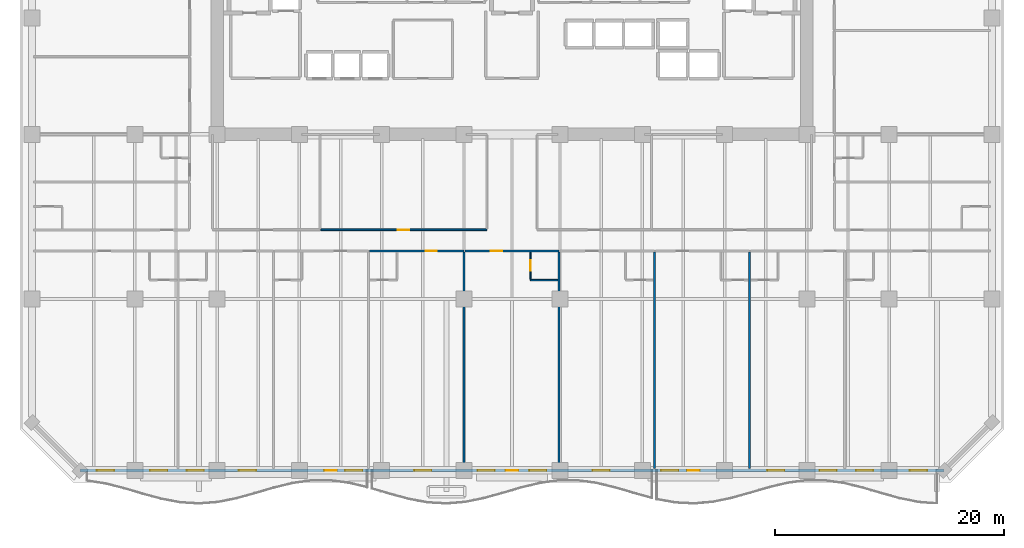
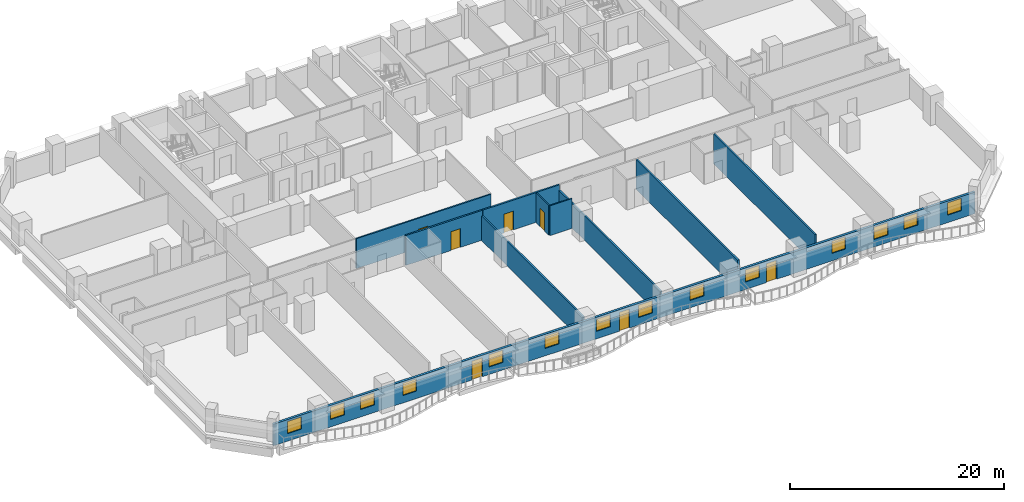
# One storey, part 4 of 14: 14 windows, 10 walls, 7 doors, 21 openings.
"""IFC4 building model written with IfcOpenShell, lengths in metres."""

from ifc_helpers import new_model, si_unit, direction, frame, frame_2d, origin, place, context, subcontext, project, spatial, rectangle, extrude, material, layer, layer_set, type_object, element, fill, save


model = new_model("IFC4")

# Units and contexts
model_context = context("Model", 3, precision=1e-05, world=origin(), true_north=direction((0.0, 1.0)))
body_context = subcontext(model_context, "Body", "Model", "MODEL_VIEW")
ifc_project = project(units=[si_unit("LENGTHUNIT", "METRE"), si_unit("AREAUNIT", "SQUARE_METRE"), si_unit("VOLUMEUNIT", "CUBIC_METRE"), si_unit("PLANEANGLEUNIT", "RADIAN"), si_unit("MASSUNIT", "GRAM", prefix="KILO")], contexts=[model_context])

# Site, building, storey
site_placement = place(None, origin())
site = spatial("IfcSite", under=ifc_project, at=site_placement, CompositionType="ELEMENT")
building_placement = place(site_placement, origin())
building = spatial("IfcBuilding", under=site, at=building_placement, Name="Kaelvorn Grand Hotel", CompositionType="ELEMENT")
storey_placement = place(building_placement, frame((0.0, 0.0, 76.39990234375)))
storey = spatial("IfcBuildingStorey", under=building, at=storey_placement, Name="L17", CompositionType="ELEMENT", Elevation=76.39990234375)

# Wall, openings, doors, windows
ifc_material_1 = material(Name="Concrete C40/50", Category="concrete")
ifc_layer_1 = layer(ifc_material_1, 0.260009765625)
ifc_layer_set_1 = layer_set([ifc_layer_1], Name="Concrete C40/50")
wall_type_1 = type_object("IfcWallType", Name="WL-EXT-260-C40", PredefinedType="SOLIDWALL", material=ifc_layer_set_1)
wall_1_placement = place(storey_placement, frame((4.199951171875, 0.0, 0.0), z_axis=(0.0, 0.0, 1.0), x_axis=(1.0, 0.0, 0.0)))
wall_1 = element("IfcWall", 1, at=wall_1_placement, inside=storey, type_object=wall_type_1, Name="L17 Exterior Architectural Concrete Wall 01", PredefinedType="SOLIDWALL", context=body_context, shape_type="SweptSolid", body=[
    extrude(rectangle(XDim=75.60009765625, YDim=0.260009765625, at=frame_2d((37.800048828125, 0.0))), origin(), (0.0, 0.0, 1.0), 2.4501953125),
])
opening_1_placement = place(wall_1_placement, frame((21.38330078125, 0.0, 0.0)))
opening_1 = element("IfcOpeningElement", 2, at=opening_1_placement, cuts=wall_1, Name="Opening DE2", PredefinedType="OPENING", context=body_context, shape_type="SweptSolid", body=[
    extrude(rectangle(XDim=1.10009765625, YDim=2.14990234375, at=frame_2d((0.550048828125, 1.074951171875))), frame((0.0, 0.14013671875, 0.0), z_axis=(0.0, -1.0, 0.0), x_axis=(1.0, 0.0, 0.0)), (0.0, 0.0, 1.0), 0.280029296875),
])
opening_2_placement = place(wall_1_placement, frame((37.25, 0.0, 0.0)))
opening_2 = element("IfcOpeningElement", 3, at=opening_2_placement, cuts=wall_1, Name="Opening DE2", PredefinedType="OPENING", context=body_context, shape_type="SweptSolid", body=[
    extrude(rectangle(XDim=1.10009765625, YDim=2.14990234375, at=frame_2d((0.550048828125, 1.074951171875))), frame((0.0, 0.14013671875, 0.0), z_axis=(0.0, -1.0, 0.0), x_axis=(1.0, 0.0, 0.0)), (0.0, 0.0, 1.0), 0.280029296875),
])
opening_3_placement = place(wall_1_placement, frame((53.11669921875, 0.0, 0.0)))
opening_3 = element("IfcOpeningElement", 4, at=opening_3_placement, cuts=wall_1, Name="Opening DE2", PredefinedType="OPENING", context=body_context, shape_type="SweptSolid", body=[
    extrude(rectangle(XDim=1.10009765625, YDim=2.14990234375, at=frame_2d((0.550048828125, 1.074951171875))), frame((0.0, 0.14013671875, 0.0), z_axis=(0.0, -1.0, 0.0), x_axis=(1.0, 0.0, 0.0)), (0.0, 0.0, 1.0), 0.280029296875),
])
opening_4_placement = place(wall_1_placement, frame((1.485107421875, 0.0, 0.85009765625)))
opening_4 = element("IfcOpeningElement", 5, at=opening_4_placement, cuts=wall_1, Name="Opening W10", PredefinedType="OPENING", context=body_context, shape_type="SweptSolid", body=[
    extrude(rectangle(XDim=1.5, YDim=1.39990234375, at=frame_2d((0.75, 0.699951171875))), frame((0.0, 0.14013671875, 0.0), z_axis=(0.0, -1.0, 0.0), x_axis=(1.0, 0.0, 0.0)), (0.0, 0.0, 1.0), 0.280029296875),
])
opening_5_placement = place(wall_1_placement, frame((6.1416015625, 0.0, 0.85009765625)))
opening_5 = element("IfcOpeningElement", 6, at=opening_5_placement, cuts=wall_1, Name="Opening W10", PredefinedType="OPENING", context=body_context, shape_type="SweptSolid", body=[
    extrude(rectangle(XDim=1.5, YDim=1.39990234375, at=frame_2d((0.75, 0.699951171875))), frame((0.0, 0.14013671875, 0.0), z_axis=(0.0, -1.0, 0.0), x_axis=(1.0, 0.0, 0.0)), (0.0, 0.0, 1.0), 0.280029296875),
])
opening_6_placement = place(wall_1_placement, frame((9.341552734375, 0.0, 0.85009765625)))
opening_6 = element("IfcOpeningElement", 7, at=opening_6_placement, cuts=wall_1, Name="Opening W10", PredefinedType="OPENING", context=body_context, shape_type="SweptSolid", body=[
    extrude(rectangle(XDim=1.5, YDim=1.39990234375, at=frame_2d((0.75, 0.699951171875))), frame((0.0, 0.14013671875, 0.0), z_axis=(0.0, -1.0, 0.0), x_axis=(1.0, 0.0, 0.0)), (0.0, 0.0, 1.0), 0.280029296875),
])
opening_7_placement = place(wall_1_placement, frame((13.908447265625, 0.0, 0.85009765625)))
opening_7 = element("IfcOpeningElement", 8, at=opening_7_placement, cuts=wall_1, Name="Opening W10", PredefinedType="OPENING", context=body_context, shape_type="SweptSolid", body=[
    extrude(rectangle(XDim=1.5, YDim=1.39990234375, at=frame_2d((0.75, 0.699951171875))), frame((0.0, 0.14013671875, 0.0), z_axis=(0.0, -1.0, 0.0), x_axis=(1.0, 0.0, 0.0)), (0.0, 0.0, 1.0), 0.280029296875),
])
opening_8_placement = place(wall_1_placement, frame((23.20166015625, 0.0, 0.85009765625)))
opening_8 = element("IfcOpeningElement", 9, at=opening_8_placement, cuts=wall_1, Name="Opening W10", PredefinedType="OPENING", context=body_context, shape_type="SweptSolid", body=[
    extrude(rectangle(XDim=1.5, YDim=1.39990234375, at=frame_2d((0.75, 0.699951171875))), frame((0.0, 0.14013671875, 0.0), z_axis=(0.0, -1.0, 0.0), x_axis=(1.0, 0.0, 0.0)), (0.0, 0.0, 1.0), 0.280029296875),
])
opening_9_placement = place(wall_1_placement, frame((29.25, 0.0, 0.85009765625)))
opening_9 = element("IfcOpeningElement", 10, at=opening_9_placement, cuts=wall_1, Name="Opening W10", PredefinedType="OPENING", context=body_context, shape_type="SweptSolid", body=[
    extrude(rectangle(XDim=1.5, YDim=1.39990234375, at=frame_2d((0.75, 0.699951171875))), frame((0.0, 0.14013671875, 0.0), z_axis=(0.0, -1.0, 0.0), x_axis=(1.0, 0.0, 0.0)), (0.0, 0.0, 1.0), 0.280029296875),
])
opening_10_placement = place(wall_1_placement, frame((34.7900390625, 0.0, 0.85009765625)))
opening_10 = element("IfcOpeningElement", 11, at=opening_10_placement, cuts=wall_1, Name="Opening W10", PredefinedType="OPENING", context=body_context, shape_type="SweptSolid", body=[
    extrude(rectangle(XDim=1.5, YDim=1.39990234375, at=frame_2d((0.75, 0.699951171875))), frame((0.0, 0.14013671875, 0.0), z_axis=(0.0, -1.0, 0.0), x_axis=(1.0, 0.0, 0.0)), (0.0, 0.0, 1.0), 0.280029296875),
])
opening_11_placement = place(wall_1_placement, frame((39.31005859375, 0.0, 0.85009765625)))
opening_11 = element("IfcOpeningElement", 12, at=opening_11_placement, cuts=wall_1, Name="Opening W10", PredefinedType="OPENING", context=body_context, shape_type="SweptSolid", body=[
    extrude(rectangle(XDim=1.5, YDim=1.39990234375, at=frame_2d((0.75, 0.699951171875))), frame((0.0, 0.14013671875, 0.0), z_axis=(0.0, -1.0, 0.0), x_axis=(1.0, 0.0, 0.0)), (0.0, 0.0, 1.0), 0.280029296875),
])
opening_12_placement = place(wall_1_placement, frame((44.85009765625, 0.0, 0.85009765625)))
opening_12 = element("IfcOpeningElement", 13, at=opening_12_placement, cuts=wall_1, Name="Opening W10", PredefinedType="OPENING", context=body_context, shape_type="SweptSolid", body=[
    extrude(rectangle(XDim=1.5, YDim=1.39990234375, at=frame_2d((0.75, 0.699951171875))), frame((0.0, 0.14013671875, 0.0), z_axis=(0.0, -1.0, 0.0), x_axis=(1.0, 0.0, 0.0)), (0.0, 0.0, 1.0), 0.280029296875),
])
opening_13_placement = place(wall_1_placement, frame((50.848388671875, 0.0, 0.85009765625)))
opening_13 = element("IfcOpeningElement", 14, at=opening_13_placement, cuts=wall_1, Name="Opening W10", PredefinedType="OPENING", context=body_context, shape_type="SweptSolid", body=[
    extrude(rectangle(XDim=1.5, YDim=1.39990234375, at=frame_2d((0.75, 0.699951171875))), frame((0.0, 0.14013671875, 0.0), z_axis=(0.0, -1.0, 0.0), x_axis=(1.0, 0.0, 0.0)), (0.0, 0.0, 1.0), 0.280029296875),
])
opening_14_placement = place(wall_1_placement, frame((60.1416015625, 0.0, 0.85009765625)))
opening_14 = element("IfcOpeningElement", 15, at=opening_14_placement, cuts=wall_1, Name="Opening W10", PredefinedType="OPENING", context=body_context, shape_type="SweptSolid", body=[
    extrude(rectangle(XDim=1.5, YDim=1.39990234375, at=frame_2d((0.75, 0.699951171875))), frame((0.0, 0.14013671875, 0.0), z_axis=(0.0, -1.0, 0.0), x_axis=(1.0, 0.0, 0.0)), (0.0, 0.0, 1.0), 0.280029296875),
])
opening_15_placement = place(wall_1_placement, frame((64.7080078125, 0.0, 0.85009765625)))
opening_15 = element("IfcOpeningElement", 16, at=opening_15_placement, cuts=wall_1, Name="Opening W10", PredefinedType="OPENING", context=body_context, shape_type="SweptSolid", body=[
    extrude(rectangle(XDim=1.5, YDim=1.39990234375, at=frame_2d((0.75, 0.699951171875))), frame((0.0, 0.14013671875, 0.0), z_axis=(0.0, -1.0, 0.0), x_axis=(1.0, 0.0, 0.0)), (0.0, 0.0, 1.0), 0.280029296875),
])
opening_16_placement = place(wall_1_placement, frame((67.907958984375, 0.0, 0.85009765625)))
opening_16 = element("IfcOpeningElement", 17, at=opening_16_placement, cuts=wall_1, Name="Opening W10", PredefinedType="OPENING", context=body_context, shape_type="SweptSolid", body=[
    extrude(rectangle(XDim=1.5, YDim=1.39990234375, at=frame_2d((0.75, 0.699951171875))), frame((0.0, 0.14013671875, 0.0), z_axis=(0.0, -1.0, 0.0), x_axis=(1.0, 0.0, 0.0)), (0.0, 0.0, 1.0), 0.280029296875),
])
opening_17_placement = place(wall_1_placement, frame((72.614990234375, 0.0, 0.85009765625)))
opening_17 = element("IfcOpeningElement", 18, at=opening_17_placement, cuts=wall_1, Name="Opening W10", PredefinedType="OPENING", context=body_context, shape_type="SweptSolid", body=[
    extrude(rectangle(XDim=1.5, YDim=1.39990234375, at=frame_2d((0.75, 0.699951171875))), frame((0.0, 0.14013671875, 0.0), z_axis=(0.0, -1.0, 0.0), x_axis=(1.0, 0.0, 0.0)), (0.0, 0.0, 1.0), 0.280029296875),
])
ifc_material_2 = material(Name="Anodised Aluminium", Category="aluminium")
door_type_1 = type_object("IfcDoorType", Name="DR-EXT-BALC-1100x2150", OperationType="NOTDEFINED", PredefinedType="DOOR", material=ifc_material_2)
door_1_placement = place(opening_1_placement, origin())
door_1 = element("IfcDoor", 19, at=door_1_placement, inside=storey, type_object=door_type_1, Name="L17 Scalloped Balcony Glazed Door DE2-1", OperationType="SINGLE_SWING_RIGHT", OverallHeight=2.14990234375, OverallWidth=1.10009765625, PredefinedType="DOOR", context=body_context, shape_type="SweptSolid", body=[
    extrude(rectangle(XDim=1.10009765625, YDim=2.14990234375, at=frame_2d((0.550048828125, 1.074951171875))), frame((0.0, 0.02490234375, 0.0), z_axis=(0.0, -1.0, 0.0), x_axis=(1.0, 0.0, 0.0)), (0.0, 0.0, 1.0), 0.050048828125),
])
fill(opening_1, door_1)
door_2_placement = place(opening_2_placement, origin())
door_2 = element("IfcDoor", 20, at=door_2_placement, inside=storey, type_object=door_type_1, Name="L17 Scalloped Balcony Glazed Door DE2-2", OperationType="SINGLE_SWING_LEFT", OverallHeight=2.14990234375, OverallWidth=1.10009765625, PredefinedType="DOOR", context=body_context, shape_type="SweptSolid", body=[
    extrude(rectangle(XDim=1.10009765625, YDim=2.14990234375, at=frame_2d((0.550048828125, 1.074951171875))), frame((0.0, 0.02490234375, 0.0), z_axis=(0.0, -1.0, 0.0), x_axis=(1.0, 0.0, 0.0)), (0.0, 0.0, 1.0), 0.050048828125),
])
fill(opening_2, door_2)
door_3_placement = place(opening_3_placement, origin())
door_3 = element("IfcDoor", 21, at=door_3_placement, inside=storey, type_object=door_type_1, Name="L17 Scalloped Balcony Glazed Door DE2-3", OperationType="SINGLE_SWING_RIGHT", OverallHeight=2.14990234375, OverallWidth=1.10009765625, PredefinedType="DOOR", context=body_context, shape_type="SweptSolid", body=[
    extrude(rectangle(XDim=1.10009765625, YDim=2.14990234375, at=frame_2d((0.550048828125, 1.074951171875))), frame((0.0, 0.02490234375, 0.0), z_axis=(0.0, -1.0, 0.0), x_axis=(1.0, 0.0, 0.0)), (0.0, 0.0, 1.0), 0.050048828125),
])
fill(opening_3, door_3)
ifc_material_3 = material(Name="Laminated Low-E Glass", Category="glass")
window_type = type_object("IfcWindowType", Name="WIN-COR-1500x1400", PartitioningType="SINGLE_PANEL", PredefinedType="WINDOW", material=ifc_material_3)
window_1_placement = place(opening_4_placement, origin())
window_1 = element("IfcWindow", 22, at=window_1_placement, inside=storey, type_object=window_type, Name="L17 South Guestroom Ribbon Window SR01", OverallHeight=1.39990234375, OverallWidth=1.5, PartitioningType="SINGLE_PANEL", PredefinedType="WINDOW", context=body_context, shape_type="SweptSolid", body=[
    extrude(rectangle(XDim=1.5, YDim=1.39990234375, at=frame_2d((0.75, 0.699951171875))), frame((0.0, 0.030029296875, 0.0), z_axis=(0.0, -1.0, 0.0), x_axis=(1.0, 0.0, 0.0)), (0.0, 0.0, 1.0), 0.06005859375),
])
fill(opening_4, window_1)
window_2_placement = place(opening_5_placement, origin())
window_2 = element("IfcWindow", 23, at=window_2_placement, inside=storey, type_object=window_type, Name="L17 South Guestroom Ribbon Window SR02", OverallHeight=1.39990234375, OverallWidth=1.5, PartitioningType="SINGLE_PANEL", PredefinedType="WINDOW", context=body_context, shape_type="SweptSolid", body=[
    extrude(rectangle(XDim=1.5, YDim=1.39990234375, at=frame_2d((0.75, 0.699951171875))), frame((0.0, 0.030029296875, 0.0), z_axis=(0.0, -1.0, 0.0), x_axis=(1.0, 0.0, 0.0)), (0.0, 0.0, 1.0), 0.06005859375),
])
fill(opening_5, window_2)
window_3_placement = place(opening_6_placement, origin())
window_3 = element("IfcWindow", 24, at=window_3_placement, inside=storey, type_object=window_type, Name="L17 South Guestroom Ribbon Window SR03", OverallHeight=1.39990234375, OverallWidth=1.5, PartitioningType="SINGLE_PANEL", PredefinedType="WINDOW", context=body_context, shape_type="SweptSolid", body=[
    extrude(rectangle(XDim=1.5, YDim=1.39990234375, at=frame_2d((0.75, 0.699951171875))), frame((0.0, 0.030029296875, 0.0), z_axis=(0.0, -1.0, 0.0), x_axis=(1.0, 0.0, 0.0)), (0.0, 0.0, 1.0), 0.06005859375),
])
fill(opening_6, window_3)
window_4_placement = place(opening_7_placement, origin())
window_4 = element("IfcWindow", 25, at=window_4_placement, inside=storey, type_object=window_type, Name="L17 South Guestroom Ribbon Window SR04", OverallHeight=1.39990234375, OverallWidth=1.5, PartitioningType="SINGLE_PANEL", PredefinedType="WINDOW", context=body_context, shape_type="SweptSolid", body=[
    extrude(rectangle(XDim=1.5, YDim=1.39990234375, at=frame_2d((0.75, 0.699951171875))), frame((0.0, 0.030029296875, 0.0), z_axis=(0.0, -1.0, 0.0), x_axis=(1.0, 0.0, 0.0)), (0.0, 0.0, 1.0), 0.06005859375),
])
fill(opening_7, window_4)
window_5_placement = place(opening_8_placement, origin())
window_5 = element("IfcWindow", 26, at=window_5_placement, inside=storey, type_object=window_type, Name="L17 South Guestroom Ribbon Window SR05", OverallHeight=1.39990234375, OverallWidth=1.5, PartitioningType="SINGLE_PANEL", PredefinedType="WINDOW", context=body_context, shape_type="SweptSolid", body=[
    extrude(rectangle(XDim=1.5, YDim=1.39990234375, at=frame_2d((0.75, 0.699951171875))), frame((0.0, 0.030029296875, 0.0), z_axis=(0.0, -1.0, 0.0), x_axis=(1.0, 0.0, 0.0)), (0.0, 0.0, 1.0), 0.06005859375),
])
fill(opening_8, window_5)
window_6_placement = place(opening_9_placement, origin())
window_6 = element("IfcWindow", 27, at=window_6_placement, inside=storey, type_object=window_type, Name="L17 South Guestroom Ribbon Window SR06", OverallHeight=1.39990234375, OverallWidth=1.5, PartitioningType="SINGLE_PANEL", PredefinedType="WINDOW", context=body_context, shape_type="SweptSolid", body=[
    extrude(rectangle(XDim=1.5, YDim=1.39990234375, at=frame_2d((0.75, 0.699951171875))), frame((0.0, 0.030029296875, 0.0), z_axis=(0.0, -1.0, 0.0), x_axis=(1.0, 0.0, 0.0)), (0.0, 0.0, 1.0), 0.06005859375),
])
fill(opening_9, window_6)
window_7_placement = place(opening_10_placement, origin())
window_7 = element("IfcWindow", 28, at=window_7_placement, inside=storey, type_object=window_type, Name="L17 South Guestroom Ribbon Window SR07", OverallHeight=1.39990234375, OverallWidth=1.5, PartitioningType="SINGLE_PANEL", PredefinedType="WINDOW", context=body_context, shape_type="SweptSolid", body=[
    extrude(rectangle(XDim=1.5, YDim=1.39990234375, at=frame_2d((0.75, 0.699951171875))), frame((0.0, 0.030029296875, 0.0), z_axis=(0.0, -1.0, 0.0), x_axis=(1.0, 0.0, 0.0)), (0.0, 0.0, 1.0), 0.06005859375),
])
fill(opening_10, window_7)
window_8_placement = place(opening_11_placement, origin())
window_8 = element("IfcWindow", 29, at=window_8_placement, inside=storey, type_object=window_type, Name="L17 South Guestroom Ribbon Window SR08", OverallHeight=1.39990234375, OverallWidth=1.5, PartitioningType="SINGLE_PANEL", PredefinedType="WINDOW", context=body_context, shape_type="SweptSolid", body=[
    extrude(rectangle(XDim=1.5, YDim=1.39990234375, at=frame_2d((0.75, 0.699951171875))), frame((0.0, 0.030029296875, 0.0), z_axis=(0.0, -1.0, 0.0), x_axis=(1.0, 0.0, 0.0)), (0.0, 0.0, 1.0), 0.06005859375),
])
fill(opening_11, window_8)
window_9_placement = place(opening_12_placement, origin())
window_9 = element("IfcWindow", 30, at=window_9_placement, inside=storey, type_object=window_type, Name="L17 South Guestroom Ribbon Window SR09", OverallHeight=1.39990234375, OverallWidth=1.5, PartitioningType="SINGLE_PANEL", PredefinedType="WINDOW", context=body_context, shape_type="SweptSolid", body=[
    extrude(rectangle(XDim=1.5, YDim=1.39990234375, at=frame_2d((0.75, 0.699951171875))), frame((0.0, 0.030029296875, 0.0), z_axis=(0.0, -1.0, 0.0), x_axis=(1.0, 0.0, 0.0)), (0.0, 0.0, 1.0), 0.06005859375),
])
fill(opening_12, window_9)
window_10_placement = place(opening_13_placement, origin())
window_10 = element("IfcWindow", 31, at=window_10_placement, inside=storey, type_object=window_type, Name="L17 South Guestroom Ribbon Window SR10", OverallHeight=1.39990234375, OverallWidth=1.5, PartitioningType="SINGLE_PANEL", PredefinedType="WINDOW", context=body_context, shape_type="SweptSolid", body=[
    extrude(rectangle(XDim=1.5, YDim=1.39990234375, at=frame_2d((0.75, 0.699951171875))), frame((0.0, 0.030029296875, 0.0), z_axis=(0.0, -1.0, 0.0), x_axis=(1.0, 0.0, 0.0)), (0.0, 0.0, 1.0), 0.06005859375),
])
fill(opening_13, window_10)
window_11_placement = place(opening_14_placement, origin())
window_11 = element("IfcWindow", 32, at=window_11_placement, inside=storey, type_object=window_type, Name="L17 South Guestroom Ribbon Window SR11", OverallHeight=1.39990234375, OverallWidth=1.5, PartitioningType="SINGLE_PANEL", PredefinedType="WINDOW", context=body_context, shape_type="SweptSolid", body=[
    extrude(rectangle(XDim=1.5, YDim=1.39990234375, at=frame_2d((0.75, 0.699951171875))), frame((0.0, 0.030029296875, 0.0), z_axis=(0.0, -1.0, 0.0), x_axis=(1.0, 0.0, 0.0)), (0.0, 0.0, 1.0), 0.06005859375),
])
fill(opening_14, window_11)
window_12_placement = place(opening_15_placement, origin())
window_12 = element("IfcWindow", 33, at=window_12_placement, inside=storey, type_object=window_type, Name="L17 South Guestroom Ribbon Window SR12", OverallHeight=1.39990234375, OverallWidth=1.5, PartitioningType="SINGLE_PANEL", PredefinedType="WINDOW", context=body_context, shape_type="SweptSolid", body=[
    extrude(rectangle(XDim=1.5, YDim=1.39990234375, at=frame_2d((0.75, 0.699951171875))), frame((0.0, 0.030029296875, 0.0), z_axis=(0.0, -1.0, 0.0), x_axis=(1.0, 0.0, 0.0)), (0.0, 0.0, 1.0), 0.06005859375),
])
fill(opening_15, window_12)
window_13_placement = place(opening_16_placement, origin())
window_13 = element("IfcWindow", 34, at=window_13_placement, inside=storey, type_object=window_type, Name="L17 South Guestroom Ribbon Window SR13", OverallHeight=1.39990234375, OverallWidth=1.5, PartitioningType="SINGLE_PANEL", PredefinedType="WINDOW", context=body_context, shape_type="SweptSolid", body=[
    extrude(rectangle(XDim=1.5, YDim=1.39990234375, at=frame_2d((0.75, 0.699951171875))), frame((0.0, 0.030029296875, 0.0), z_axis=(0.0, -1.0, 0.0), x_axis=(1.0, 0.0, 0.0)), (0.0, 0.0, 1.0), 0.06005859375),
])
fill(opening_16, window_13)
window_14_placement = place(opening_17_placement, origin())
window_14 = element("IfcWindow", 35, at=window_14_placement, inside=storey, type_object=window_type, Name="L17 South Guestroom Ribbon Window SR14", OverallHeight=1.39990234375, OverallWidth=1.5, PartitioningType="SINGLE_PANEL", PredefinedType="WINDOW", context=body_context, shape_type="SweptSolid", body=[
    extrude(rectangle(XDim=1.5, YDim=1.39990234375, at=frame_2d((0.75, 0.699951171875))), frame((0.0, 0.030029296875, 0.0), z_axis=(0.0, -1.0, 0.0), x_axis=(1.0, 0.0, 0.0)), (0.0, 0.0, 1.0), 0.06005859375),
])
fill(opening_17, window_14)

# Wall
ifc_material_4 = material(Name="Moisture-Resistant Tile & Stud Board")
ifc_layer_2 = layer(ifc_material_4, 0.125)
ifc_layer_set_2 = layer_set([ifc_layer_2], Name="Moisture-Resistant Tile & Stud Board")
wall_type_2 = type_object("IfcWallType", Name="WL-PART-125-WET", PredefinedType="PARTITIONING", material=ifc_layer_set_2)
wall_2_placement = place(storey_placement, frame((43.616455078125, 16.64990234375, 0.0), z_axis=(0.0, 0.0, 1.0), x_axis=(1.0, 0.0, 0.0)))
element("IfcWall", 36, at=wall_2_placement, inside=storey, type_object=wall_type_2, Name="L17 En-suite Bathroom L17-05 S Partition", PredefinedType="PARTITIONING", context=body_context, shape_type="SweptSolid", body=[
    extrude(rectangle(XDim=2.405029296875, YDim=0.125, at=frame_2d((1.20263671875, 0.0))), origin(), (0.0, 0.0, 1.0), 3.400146484375),
])

# Wall, opening, door
wall_3_placement = place(storey_placement, frame((43.616455078125, 16.717529296875, 0.0), z_axis=(0.0, 0.0, 1.0), x_axis=(0.0, 1.0, 0.0)))
wall_3 = element("IfcWall", 37, at=wall_3_placement, inside=storey, type_object=wall_type_2, Name="L17 En-suite Bathroom L17-05 W Partition", PredefinedType="PARTITIONING", context=body_context, shape_type="SweptSolid", body=[
    extrude(rectangle(XDim=2.387451171875, YDim=0.125, at=frame_2d((1.19384765625, 0.0))), origin(), (0.0, 0.0, 1.0), 3.400146484375),
])
opening_18_placement = place(wall_3_placement, frame((0.757568359375, 0.0, 0.0)))
opening_18 = element("IfcOpeningElement", 38, at=opening_18_placement, cuts=wall_3, Name="Opening DI4", PredefinedType="OPENING", context=body_context, shape_type="SweptSolid", body=[
    extrude(rectangle(XDim=0.89990234375, YDim=2.10009765625, at=frame_2d((0.449951171875, 1.050048828125))), frame((0.0, 0.072509765625, 0.0), z_axis=(0.0, -1.0, 0.0), x_axis=(1.0, 0.0, 0.0)), (0.0, 0.0, 1.0), 0.14501953125),
])
ifc_material_5 = material(Name="Timber Veneer Leaf", Category="wood")
door_type_2 = type_object("IfcDoorType", Name="DR-INT-BATH-900x2100", OperationType="NOTDEFINED", PredefinedType="DOOR", material=ifc_material_5)
door_4_placement = place(opening_18_placement, origin())
door_4 = element("IfcDoor", 39, at=door_4_placement, inside=storey, type_object=door_type_2, Name="L17 En-suite Bathroom L17-05 Door", OperationType="SINGLE_SWING_RIGHT", OverallHeight=2.10009765625, OverallWidth=0.89990234375, PredefinedType="DOOR", context=body_context, shape_type="SweptSolid", body=[
    extrude(rectangle(XDim=0.89990234375, YDim=2.10009765625, at=frame_2d((0.449951171875, 1.050048828125))), frame((0.0, 0.02490234375, 0.0), z_axis=(0.0, -1.0, 0.0), x_axis=(1.0, 0.0, 0.0)), (0.0, 0.0, 1.0), 0.050048828125),
])
fill(opening_18, door_4)

ifc_material_6 = material(Name="Acoustic Gypsum & Stud Partition")
ifc_layer_3 = layer(ifc_material_6, 0.14990234375)
ifc_layer_set_3 = layer_set([ifc_layer_3], Name="Acoustic Gypsum & Stud Partition")
wall_type_3 = type_object("IfcWallType", Name="WL-PART-150-EI60", PredefinedType="PARTITIONING", material=ifc_layer_set_3)
wall_4_placement = place(storey_placement, frame((25.280029296875, 21.050048828125, 0.0), z_axis=(0.0, 0.0, 1.0), x_axis=(1.0, 0.0, 0.0)))
wall_4 = element("IfcWall", 40, at=wall_4_placement, inside=storey, type_object=wall_type_3, Name="L17 Sommelier Wine Bar S Partition", PredefinedType="PARTITIONING", context=body_context, shape_type="SweptSolid", body=[
    extrude(rectangle(XDim=14.52001953125, YDim=0.14990234375, at=frame_2d((7.260009765625, 0.0))), origin(), (0.0, 0.0, 1.0), 3.400146484375),
])
opening_19_placement = place(wall_4_placement, frame((6.719970703125, 0.0, 0.0)))
opening_19 = element("IfcOpeningElement", 41, at=opening_19_placement, cuts=wall_4, Name="Opening DI3", PredefinedType="OPENING", context=body_context, shape_type="SweptSolid", body=[
    extrude(rectangle(XDim=1.0, YDim=2.14990234375, at=frame_2d((0.5, 1.074951171875))), frame((0.0, 0.0849609375, 0.0), z_axis=(0.0, -1.0, 0.0), x_axis=(1.0, 0.0, 0.0)), (0.0, 0.0, 1.0), 0.169921875),
])
ifc_material_7 = material(Name="Timber Veneer Fire Leaf", Category="wood")
door_type_3 = type_object("IfcDoorType", Name="DR-INT-GUEST-1000x2150", OperationType="NOTDEFINED", PredefinedType="DOOR", material=ifc_material_7)
door_5_placement = place(opening_19_placement, origin())
door_5 = element("IfcDoor", 42, at=door_5_placement, inside=storey, type_object=door_type_3, Name="L17 Sommelier Wine Bar Door", OperationType="SINGLE_SWING_RIGHT", OverallHeight=2.14990234375, OverallWidth=1.0, PredefinedType="DOOR", context=body_context, shape_type="SweptSolid", body=[
    extrude(rectangle(XDim=1.0, YDim=2.14990234375, at=frame_2d((0.5, 1.074951171875))), frame((0.0, 0.02490234375, 0.0), z_axis=(0.0, -1.0, 0.0), x_axis=(1.0, 0.0, 0.0)), (0.0, 0.0, 1.0), 0.050048828125),
])
fill(opening_19, door_5)

ifc_layer_4 = layer(ifc_material_6, 0.179931640625)
ifc_layer_set_4 = layer_set([ifc_layer_4], Name="Acoustic Gypsum & Stud Partition")
wall_type_4 = type_object("IfcWallType", Name="WL-PART-180-EI60", PredefinedType="PARTITIONING", material=ifc_layer_set_4)
wall_5_placement = place(storey_placement, frame((29.544921875, 19.199951171875, 0.0), z_axis=(0.0, 0.0, 1.0), x_axis=(1.0, 0.0, 0.0)))
wall_5 = element("IfcWall", 43, at=wall_5_placement, inside=storey, type_object=wall_type_4, Name="L17 Deluxe Panoramic Suite L17-04 N Partition", PredefinedType="PARTITIONING", context=body_context, shape_type="SweptSolid", body=[
    extrude(rectangle(XDim=8.23828125, YDim=0.179931640625, at=frame_2d((4.119140625, 0.0))), origin(), (0.0, 0.0, 1.0), 3.400146484375),
])
opening_20_placement = place(wall_5_placement, frame((4.89013671875, 0.0, 0.0)))
opening_20 = element("IfcOpeningElement", 44, at=opening_20_placement, cuts=wall_5, Name="Opening DI3", PredefinedType="OPENING", context=body_context, shape_type="SweptSolid", body=[
    extrude(rectangle(XDim=1.0, YDim=2.14990234375, at=frame_2d((0.5, 1.074951171875))), frame((0.0, 0.10009765625, 0.0), z_axis=(0.0, -1.0, 0.0), x_axis=(1.0, 0.0, 0.0)), (0.0, 0.0, 1.0), 0.199951171875),
])
door_6_placement = place(opening_20_placement, origin())
door_6 = element("IfcDoor", 45, at=door_6_placement, inside=storey, type_object=door_type_3, Name="L17 Deluxe Panoramic Suite L17-04 Door", OperationType="SINGLE_SWING_LEFT", OverallHeight=2.14990234375, OverallWidth=1.0, PredefinedType="DOOR", context=body_context, shape_type="SweptSolid", body=[
    extrude(rectangle(XDim=1.0, YDim=2.14990234375, at=frame_2d((0.5, 1.074951171875))), frame((0.0, 0.02490234375, 0.0), z_axis=(0.0, -1.0, 0.0), x_axis=(1.0, 0.0, 0.0)), (0.0, 0.0, 1.0), 0.050048828125),
])
fill(opening_20, door_6)

# Wall
wall_6_placement = place(storey_placement, frame((37.783203125, 0.14990234375, 0.0), z_axis=(0.0, 0.0, 1.0), x_axis=(0.0, 1.0, 0.0)))
element("IfcWall", 46, at=wall_6_placement, inside=storey, type_object=wall_type_4, Name="L17 Deluxe Panoramic Suite L17-04 E Partition", PredefinedType="PARTITIONING", context=body_context, shape_type="SweptSolid", body=[
    extrude(rectangle(XDim=18.955078125, YDim=0.179931640625, at=frame_2d((9.4775390625, 0.0))), origin(), (0.0, 0.0, 1.0), 2.800048828125),
])

# Wall, opening, door
wall_7_placement = place(storey_placement, frame((37.878173828125, 19.199951171875, 0.0), z_axis=(0.0, 0.0, 1.0), x_axis=(1.0, 0.0, 0.0)))
wall_7 = element("IfcWall", 47, at=wall_7_placement, inside=storey, type_object=wall_type_4, Name="L17 Deluxe Panoramic Suite L17-05 N Partition", PredefinedType="PARTITIONING", context=body_context, shape_type="SweptSolid", body=[
    extrude(rectangle(XDim=8.23828125, YDim=0.179931640625, at=frame_2d((4.119140625, 0.0))), origin(), (0.0, 0.0, 1.0), 3.400146484375),
])
opening_21_placement = place(wall_7_placement, frame((2.27001953125, 0.0, 0.0)))
opening_21 = element("IfcOpeningElement", 48, at=opening_21_placement, cuts=wall_7, Name="Opening DI3", PredefinedType="OPENING", context=body_context, shape_type="SweptSolid", body=[
    extrude(rectangle(XDim=1.0, YDim=2.14990234375, at=frame_2d((0.5, 1.074951171875))), frame((0.0, 0.10009765625, 0.0), z_axis=(0.0, -1.0, 0.0), x_axis=(1.0, 0.0, 0.0)), (0.0, 0.0, 1.0), 0.199951171875),
])
door_7_placement = place(opening_21_placement, origin())
door_7 = element("IfcDoor", 49, at=door_7_placement, inside=storey, type_object=door_type_3, Name="L17 Deluxe Panoramic Suite L17-05 Door", OperationType="SINGLE_SWING_LEFT", OverallHeight=2.14990234375, OverallWidth=1.0, PredefinedType="DOOR", context=body_context, shape_type="SweptSolid", body=[
    extrude(rectangle(XDim=1.0, YDim=2.14990234375, at=frame_2d((0.5, 1.074951171875))), frame((0.0, 0.02490234375, 0.0), z_axis=(0.0, -1.0, 0.0), x_axis=(1.0, 0.0, 0.0)), (0.0, 0.0, 1.0), 0.050048828125),
])
fill(opening_21, door_7)

# Walls
wall_8_placement = place(storey_placement, frame((46.116455078125, 0.14990234375, 0.0), z_axis=(0.0, 0.0, 1.0), x_axis=(0.0, 1.0, 0.0)))
element("IfcWall", 50, at=wall_8_placement, inside=storey, type_object=wall_type_4, Name="L17 Deluxe Panoramic Suite L17-05 E Partition", PredefinedType="PARTITIONING", context=body_context, shape_type="SweptSolid", body=[
    extrude(rectangle(XDim=18.955078125, YDim=0.179931640625, at=frame_2d((9.4775390625, 0.0))), origin(), (0.0, 0.0, 1.0), 2.800048828125),
])
for number, where, z_axis, x_axis, name in (
    (51, (54.44970703125, 0.14990234375, 0.0), (0.0, 0.0, 1.0), (0.0, 1.0, 0.0), "L17 Deluxe Panoramic Suite L17-06 E Partition"),
    (52, (62.782958984375, 0.14990234375, 0.0), (0.0, 0.0, 1.0), (0.0, 1.0, 0.0), "L17 Deluxe Panoramic Suite L17-07 E Partition"),
):
    element("IfcWall", number, at=place(storey_placement, frame(where, z_axis=z_axis, x_axis=x_axis)), inside=storey, type_object=wall_type_4, Name=name, PredefinedType="PARTITIONING", context=body_context, shape_type="SweptSolid", body=[
        extrude(rectangle(XDim=18.955078125, YDim=0.179931640625, at=frame_2d((9.4775390625, 0.0))), origin(), (0.0, 0.0, 1.0), 3.400146484375),
    ])

save(model, "model.ifc")
